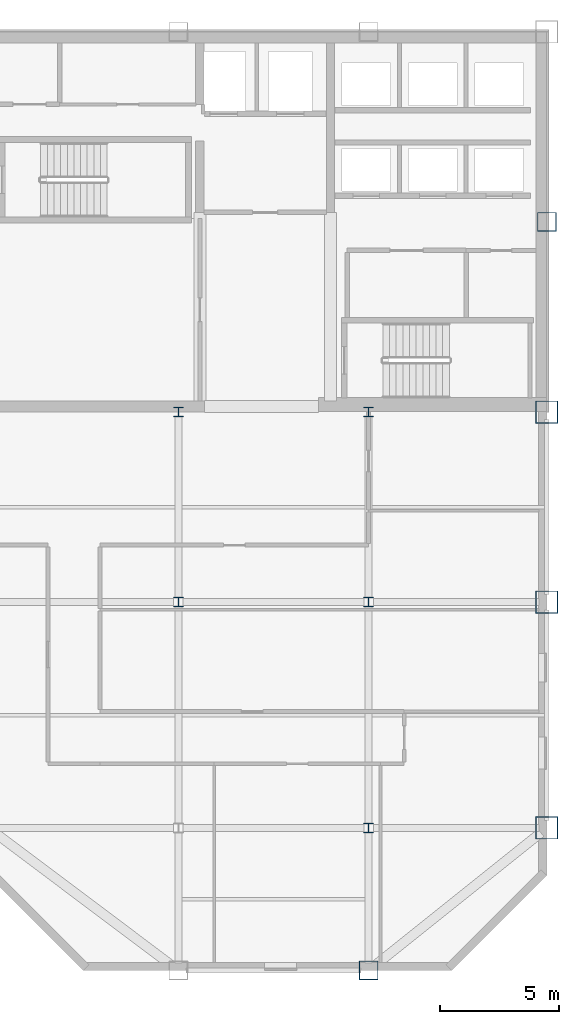
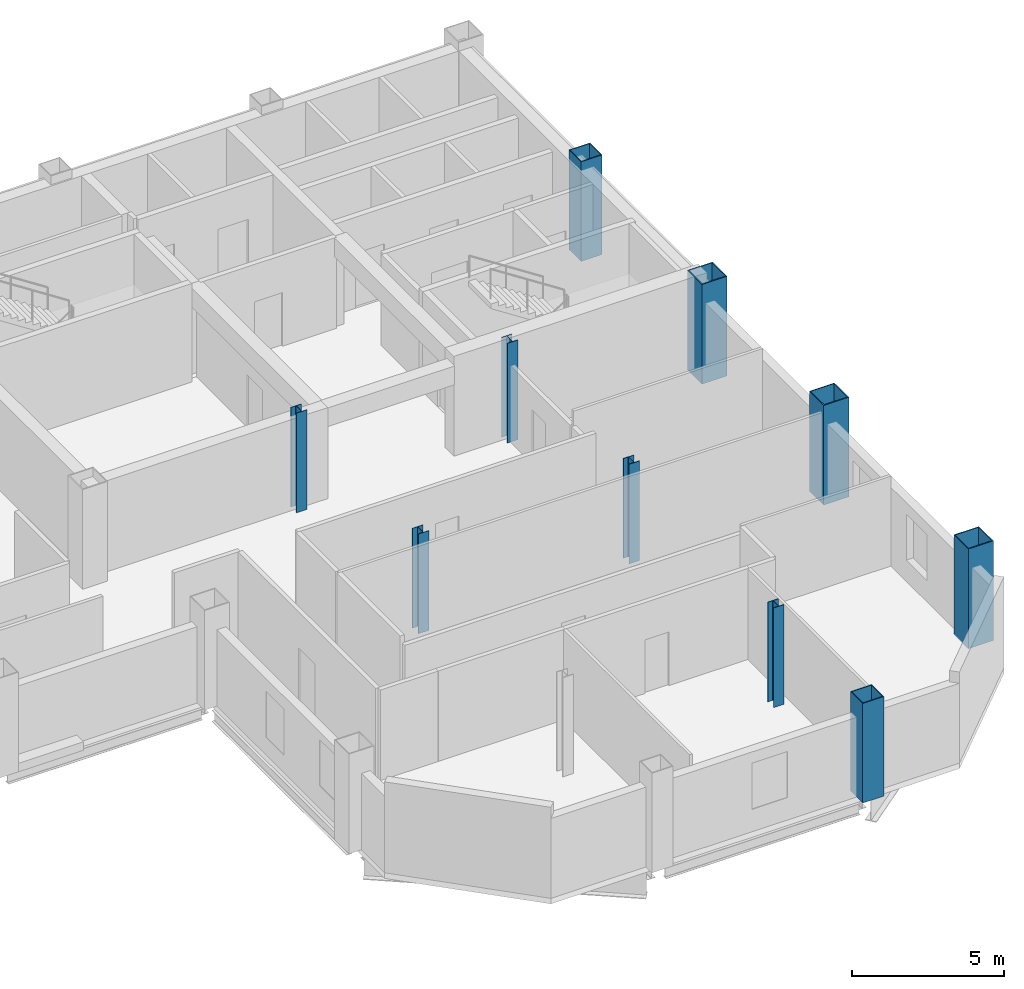
# One storey, part 2 of 11: 10 columns.
"""IFC4 building model written with IfcOpenShell, lengths in metres."""

from ifc_helpers import new_model, si_unit, direction, frame, origin, origin_2d, place, context, subcontext, project, spatial, hollow_rectangle, i_section, extrude, material, material_profile, profile_set, type_object, element, save


model = new_model("IFC4")

# Units and contexts
model_context = context("Model", 3, precision=1e-05, world=origin(), true_north=direction((0.0, 1.0)))
body_context = subcontext(model_context, "Body", "Model", "MODEL_VIEW")
ifc_project = project(units=[si_unit("LENGTHUNIT", "METRE"), si_unit("AREAUNIT", "SQUARE_METRE"), si_unit("VOLUMEUNIT", "CUBIC_METRE"), si_unit("PLANEANGLEUNIT", "RADIAN"), si_unit("MASSUNIT", "GRAM", prefix="KILO")], contexts=[model_context])

# Site, building, storey
site_placement = place(None, origin())
site = spatial("IfcSite", under=ifc_project, at=site_placement, CompositionType="ELEMENT")
building_placement = place(site_placement, origin())
building = spatial("IfcBuilding", under=site, at=building_placement, Name="Qianrong Seaharbour Tower", CompositionType="ELEMENT")
storey_placement = place(building_placement, frame((0.0, 0.0, 277.800048828125)))
storey = spatial("IfcBuildingStorey", under=building, at=storey_placement, Name="L67", CompositionType="ELEMENT", Elevation=277.800048828125)

# Columns
ifc_material = material(Name="Structural steel SN490B", Category="steel")
ifc_material_profile_1 = material_profile(ifc_material, hollow_rectangle(XDim=0.949951171875, YDim=0.949951171875, WallThickness=0.035888671875, at=origin_2d()), Name="BOX950x950x36")
ifc_profile_set_1 = profile_set([ifc_material_profile_1], Name="Structural steel SN490B")
column_type_1 = type_object("IfcColumnType", Name="COL-CFT-950", PredefinedType="COLUMN", material=ifc_profile_set_1)
for number, where, z_axis, x_axis, name in (
    (1, (64.0, 18.5, 0.0), (0.0, 0.0, 1.0), (1.0, 0.0, 0.0), "L67 Column MC-4 at G9/GD"),
    (2, (64.0, 28.0, 0.0), (0.0, 0.0, 1.0), (1.0, 0.0, 0.0), "L67 Column MC-4 at G9/GE"),
    (3, (64.0, 36.0, 0.0), (0.0, 0.0, 1.0), (1.0, 0.0, 0.0), "L67 Column MC-4 at G9/GF"),
):
    element("IfcColumn", number, at=place(storey_placement, frame(where, z_axis=z_axis, x_axis=x_axis)), inside=storey, type_object=column_type_1, Name=name, PredefinedType="COLUMN", context=body_context, shape_type="SweptSolid", body=[
        extrude(hollow_rectangle(XDim=0.949951171875, YDim=0.949951171875, WallThickness=0.035888671875, at=origin_2d()), origin(), (0.0, 0.0, 1.0), 4.0),
    ])
ifc_material_profile_2 = material_profile(ifc_material, i_section(OverallWidth=0.39990234375, OverallDepth=0.39990234375, WebThickness=0.012939453125, FlangeThickness=0.02099609375, FilletRadius=0.02197265625, at=origin_2d()), Name="H400x400x13x21")
ifc_profile_set_2 = profile_set([ifc_material_profile_2], Name="Structural steel SN490B")
column_type_2 = type_object("IfcColumnType", Name="COL-INT-H400", PredefinedType="COLUMN", material=ifc_profile_set_2)
for number, where, z_axis, x_axis, name in (
    (4, (48.5, 28.0, 0.0), (0.0, 0.0, 1.0), (1.0, 0.0, 0.0), "L67 Column IC-3 at G7/GE"),
    (5, (48.5, 36.0, 0.0), (0.0, 0.0, 1.0), (1.0, 0.0, 0.0), "L67 Column IC-3 at G7/GF"),
    (6, (56.5, 18.5, 0.0), (0.0, 0.0, 1.0), (1.0, 0.0, 0.0), "L67 Column IC-3 at G8/GD"),
    (7, (56.5, 28.0, 0.0), (0.0, 0.0, 1.0), (1.0, 0.0, 0.0), "L67 Column IC-3 at G8/GE"),
    (8, (56.5, 36.0, 0.0), (0.0, 0.0, 1.0), (1.0, 0.0, 0.0), "L67 Column IC-3 at G8/GF"),
):
    element("IfcColumn", number, at=place(storey_placement, frame(where, z_axis=z_axis, x_axis=x_axis)), inside=storey, type_object=column_type_2, Name=name, PredefinedType="COLUMN", context=body_context, shape_type="SweptSolid", body=[
        extrude(i_section(OverallWidth=0.39990234375, OverallDepth=0.39990234375, WebThickness=0.012939453125, FlangeThickness=0.02099609375, FilletRadius=0.02197265625, at=origin_2d()), origin(), (0.0, 0.0, 1.0), 4.0),
    ])
ifc_material_profile_3 = material_profile(ifc_material, hollow_rectangle(XDim=0.800048828125, YDim=0.800048828125, WallThickness=0.031982421875, at=origin_2d()), Name="BOX800x800x32")
ifc_profile_set_3 = profile_set([ifc_material_profile_3], Name="Structural steel SN490B")
column_type_3 = type_object("IfcColumnType", Name="COL-PER-800", PredefinedType="COLUMN", material=ifc_profile_set_3)
for number, where, z_axis, x_axis, name in (
    (9, (56.5, 12.5, 0.0), (0.0, 0.0, 1.0), (1.0, 0.0, 0.0), "L67 Column PC-3 at G8/GC"),
    (10, (64.0, 44.0, 0.0), (0.0, 0.0, 1.0), (1.0, 0.0, 0.0), "L67 Column PC-3 at G9/GG"),
):
    element("IfcColumn", number, at=place(storey_placement, frame(where, z_axis=z_axis, x_axis=x_axis)), inside=storey, type_object=column_type_3, Name=name, PredefinedType="COLUMN", context=body_context, shape_type="SweptSolid", body=[
        extrude(hollow_rectangle(XDim=0.800048828125, YDim=0.800048828125, WallThickness=0.031982421875, at=origin_2d()), origin(), (0.0, 0.0, 1.0), 4.0),
    ])

save(model, "model.ifc")
